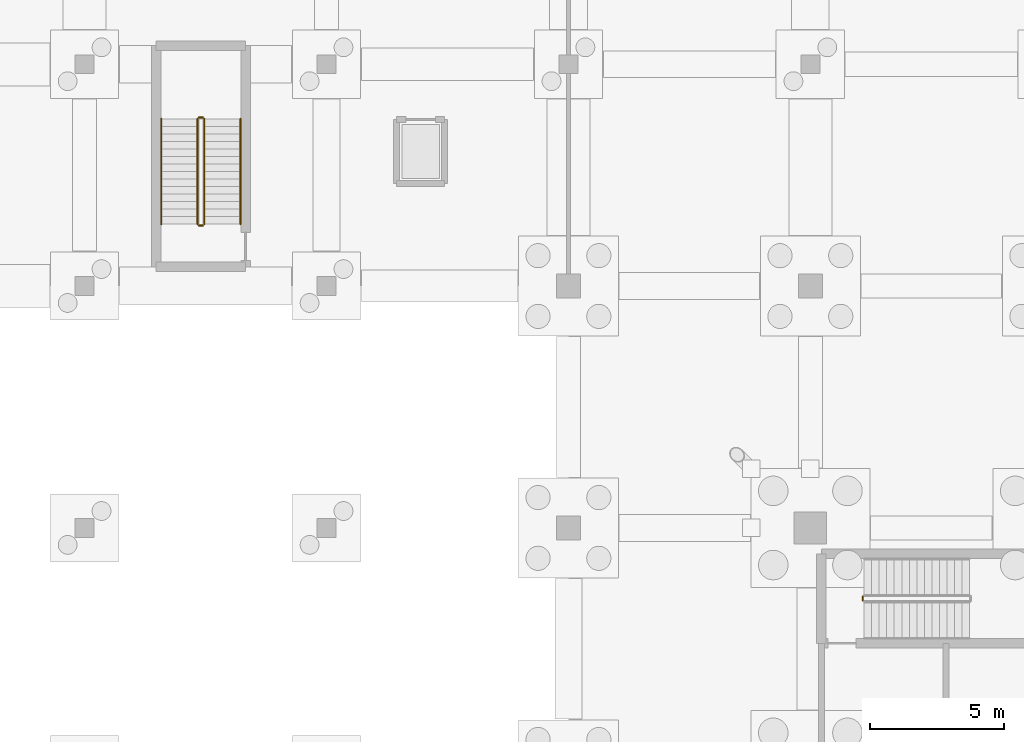
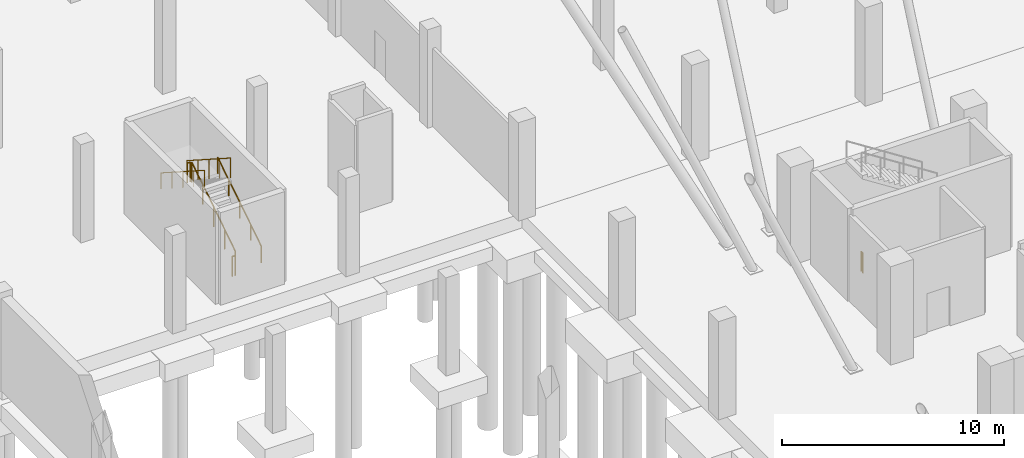
# One storey, part 37 of 42: 7 railings.
"""IFC4 building model written with IfcOpenShell, lengths in metres."""

from ifc_helpers import new_model, si_unit, direction, frame, origin, origin_2d, place, context, subcontext, project, spatial, circle, extrude, material, type_object, element, save


model = new_model("IFC4")

# Units and contexts
model_context = context("Model", 3, precision=1e-05, world=origin(), true_north=direction((0.0, 1.0)))
body_context = subcontext(model_context, "Body", "Model", "MODEL_VIEW")
ifc_project = project(units=[si_unit("LENGTHUNIT", "METRE"), si_unit("AREAUNIT", "SQUARE_METRE"), si_unit("VOLUMEUNIT", "CUBIC_METRE"), si_unit("PLANEANGLEUNIT", "RADIAN"), si_unit("MASSUNIT", "GRAM", prefix="KILO")], contexts=[model_context])

# Site, building, storey
site_placement = place(None, origin())
site = spatial("IfcSite", under=ifc_project, at=site_placement, CompositionType="ELEMENT")
building_placement = place(site_placement, origin())
building = spatial("IfcBuilding", under=site, at=building_placement, Name="Sundgate Opera House", CompositionType="ELEMENT")
storey_placement = place(building_placement, frame((0.0, 0.0, -5.39990234375)))
storey = spatial("IfcBuildingStorey", under=building, at=storey_placement, Name="B01", CompositionType="ELEMENT", Elevation=-5.39990234375)

# Railings
ifc_material_1 = material(Name="Painted steel S275 guardrail", Category="steel")
railing_type_1 = type_object("IfcRailingType", Name="RL-STAIR-GUARD-1100", PredefinedType="GUARDRAIL", material=ifc_material_1)
railing_1_placement = place(storey_placement, frame((37.949951171875, 75.300048828125, 0.0)))
element("IfcRailing", 1, at=railing_1_placement, inside=storey, type_object=railing_type_1, Name="ST02B01 Guardrail RL0050", PredefinedType="GUARDRAIL", context=body_context, shape_type="SweptSolid", body=[
    extrude(circle(Radius=0.02392578125, at=origin_2d()), frame((0.0, 0.0, 1.076171875), z_axis=(0.0, 1.0, 0.0), x_axis=(-1.0, 0.0, 0.0)), (0.0, 0.0, 1.0), 0.14990234375),
    extrude(circle(Radius=0.02099609375, at=origin_2d()), origin(), (0.0, 0.0, 1.0), 1.052001953125),
    extrude(circle(Radius=0.02099609375, at=origin_2d()), frame((0.0, 0.14990234375, 0.0)), (0.0, 0.0, 1.0), 1.052001953125),
])
railing_2_placement = place(storey_placement, frame((13.449951171875, 89.300048828125, 0.179931640625)))
element("IfcRailing", 2, at=railing_2_placement, inside=storey, type_object=railing_type_1, Name="ST08B01 Guardrail RL0251", PredefinedType="GUARDRAIL", context=body_context, shape_type="SweptSolid", body=[
    extrude(circle(Radius=0.02392578125, at=origin_2d()), frame((0.0, 0.0, 1.076171875), z_axis=(0.0, 0.841171666519, 0.540768182723), x_axis=(-1.0, 0.0, 0.0)), (0.0, 0.0, 1.0), 4.66015625),
    extrude(circle(Radius=0.02099609375, at=origin_2d()), origin(), (0.0, 0.0, 1.0), 1.052001953125),
    extrude(circle(Radius=0.02099609375, at=origin_2d()), frame((0.0, 0.97998046875, 0.6298828125)), (0.0, 0.0, 1.0), 1.052001953125),
    extrude(circle(Radius=0.02099609375, at=origin_2d()), frame((0.0, 1.9599609375, 1.260009765625)), (0.0, 0.0, 1.0), 1.052001953125),
    extrude(circle(Radius=0.02099609375, at=origin_2d()), frame((0.0, 2.93994140625, 1.89013671875)), (0.0, 0.0, 1.0), 1.052001953125),
    extrude(circle(Radius=0.02099609375, at=origin_2d()), frame((0.0, 3.919921875, 2.52001953125)), (0.0, 0.0, 1.0), 1.052001953125),
])
railing_3_placement = place(storey_placement, frame((13.39990234375, 93.27001953125, 2.699951171875)))
element("IfcRailing", 3, at=railing_3_placement, inside=storey, type_object=railing_type_1, Name="ST08B01 Guardrail RL0252", PredefinedType="GUARDRAIL", context=body_context, shape_type="SweptSolid", body=[
    extrude(circle(Radius=0.02392578125, at=origin_2d()), frame((0.0, 0.0, 1.076171875), z_axis=(-1.0, 0.0, 0.0), x_axis=(0.0, -1.0, 0.0)), (0.0, 0.0, 1.0), 0.14990234375),
    extrude(circle(Radius=0.02099609375, at=origin_2d()), origin(), (0.0, 0.0, 1.0), 1.052001953125),
    extrude(circle(Radius=0.02099609375, at=origin_2d()), frame((-0.14990234375, 0.0, 0.0)), (0.0, 0.0, 1.0), 1.052001953125),
])
railing_4_placement = place(storey_placement, frame((13.199951171875, 93.219970703125, 2.8798828125)))
element("IfcRailing", 4, at=railing_4_placement, inside=storey, type_object=railing_type_1, Name="ST08B01 Guardrail RL0253", PredefinedType="GUARDRAIL", context=body_context, shape_type="SweptSolid", body=[
    extrude(circle(Radius=0.02392578125, at=origin_2d()), frame((0.0, 0.0, 1.076171875), z_axis=(0.0, -0.841171666519, 0.540768182723), x_axis=(1.0, 0.0, 0.0)), (0.0, 0.0, 1.0), 4.66015625),
    extrude(circle(Radius=0.02099609375, at=origin_2d()), origin(), (0.0, 0.0, 1.0), 1.052001953125),
    extrude(circle(Radius=0.02099609375, at=origin_2d()), frame((0.0, -0.97998046875, 0.6298828125)), (0.0, 0.0, 1.0), 1.052001953125),
    extrude(circle(Radius=0.02099609375, at=origin_2d()), frame((0.0, -1.9599609375, 1.260009765625)), (0.0, 0.0, 1.0), 1.052001953125),
    extrude(circle(Radius=0.02099609375, at=origin_2d()), frame((0.0, -2.93994140625, 1.89013671875)), (0.0, 0.0, 1.0), 1.052001953125),
    extrude(circle(Radius=0.02099609375, at=origin_2d()), frame((0.0, -3.919921875, 2.52001953125)), (0.0, 0.0, 1.0), 1.052001953125),
])
railing_5_placement = place(storey_placement, frame((13.39990234375, 89.25, 0.0)))
element("IfcRailing", 5, at=railing_5_placement, inside=storey, type_object=railing_type_1, Name="ST08B01 Guardrail RL0254", PredefinedType="GUARDRAIL", context=body_context, shape_type="SweptSolid", body=[
    extrude(circle(Radius=0.02392578125, at=origin_2d()), frame((0.0, 0.0, 1.076171875), z_axis=(-1.0, 0.0, 0.0), x_axis=(0.0, -1.0, 0.0)), (0.0, 0.0, 1.0), 0.14990234375),
    extrude(circle(Radius=0.02099609375, at=origin_2d()), origin(), (0.0, 0.0, 1.0), 1.052001953125),
    extrude(circle(Radius=0.02099609375, at=origin_2d()), frame((-0.14990234375, 0.0, 0.0)), (0.0, 0.0, 1.0), 1.052001953125),
])
ifc_material_2 = material(Name="Brushed stainless steel handrail", Category="steel")
railing_type_2 = type_object("IfcRailingType", Name="RL-STAIR-HAND-900", PredefinedType="HANDRAIL", material=ifc_material_2)
railing_6_placement = place(storey_placement, frame((14.800048828125, 89.300048828125, 0.179931640625)))
element("IfcRailing", 6, at=railing_6_placement, inside=storey, type_object=railing_type_2, Name="ST08B01 Handrail RL0255", PredefinedType="HANDRAIL", context=body_context, shape_type="SweptSolid", body=[
    extrude(circle(Radius=0.02392578125, at=origin_2d()), frame((0.0, 0.0, 0.8759765625), z_axis=(0.0, 0.841171666519, 0.540768182723), x_axis=(-1.0, 0.0, 0.0)), (0.0, 0.0, 1.0), 4.66015625),
    extrude(circle(Radius=0.02099609375, at=origin_2d()), origin(), (0.0, 0.0, 1.0), 0.851806640625),
    extrude(circle(Radius=0.02099609375, at=origin_2d()), frame((0.0, 0.97998046875, 0.6298828125)), (0.0, 0.0, 1.0), 0.851806640625),
    extrude(circle(Radius=0.02099609375, at=origin_2d()), frame((0.0, 1.9599609375, 1.260009765625)), (0.0, 0.0, 1.0), 0.851806640625),
    extrude(circle(Radius=0.02099609375, at=origin_2d()), frame((0.0, 2.93994140625, 1.89013671875)), (0.0, 0.0, 1.0), 0.851806640625),
    extrude(circle(Radius=0.02099609375, at=origin_2d()), frame((0.0, 3.919921875, 2.52001953125)), (0.0, 0.0, 1.0), 0.851806640625),
])
railing_7_placement = place(storey_placement, frame((11.85009765625, 93.219970703125, 2.8798828125)))
element("IfcRailing", 7, at=railing_7_placement, inside=storey, type_object=railing_type_2, Name="ST08B01 Handrail RL0256", PredefinedType="HANDRAIL", context=body_context, shape_type="SweptSolid", body=[
    extrude(circle(Radius=0.02392578125, at=origin_2d()), frame((0.0, 0.0, 0.8759765625), z_axis=(0.0, -0.841171666519, 0.540768182723), x_axis=(1.0, 0.0, 0.0)), (0.0, 0.0, 1.0), 4.66015625),
    extrude(circle(Radius=0.02099609375, at=origin_2d()), origin(), (0.0, 0.0, 1.0), 0.851806640625),
    extrude(circle(Radius=0.02099609375, at=origin_2d()), frame((0.0, -0.97998046875, 0.6298828125)), (0.0, 0.0, 1.0), 0.851806640625),
    extrude(circle(Radius=0.02099609375, at=origin_2d()), frame((0.0, -1.9599609375, 1.260009765625)), (0.0, 0.0, 1.0), 0.851806640625),
    extrude(circle(Radius=0.02099609375, at=origin_2d()), frame((0.0, -2.93994140625, 1.89013671875)), (0.0, 0.0, 1.0), 0.851806640625),
    extrude(circle(Radius=0.02099609375, at=origin_2d()), frame((0.0, -3.919921875, 2.52001953125)), (0.0, 0.0, 1.0), 0.851806640625),
])

save(model, "model.ifc")
